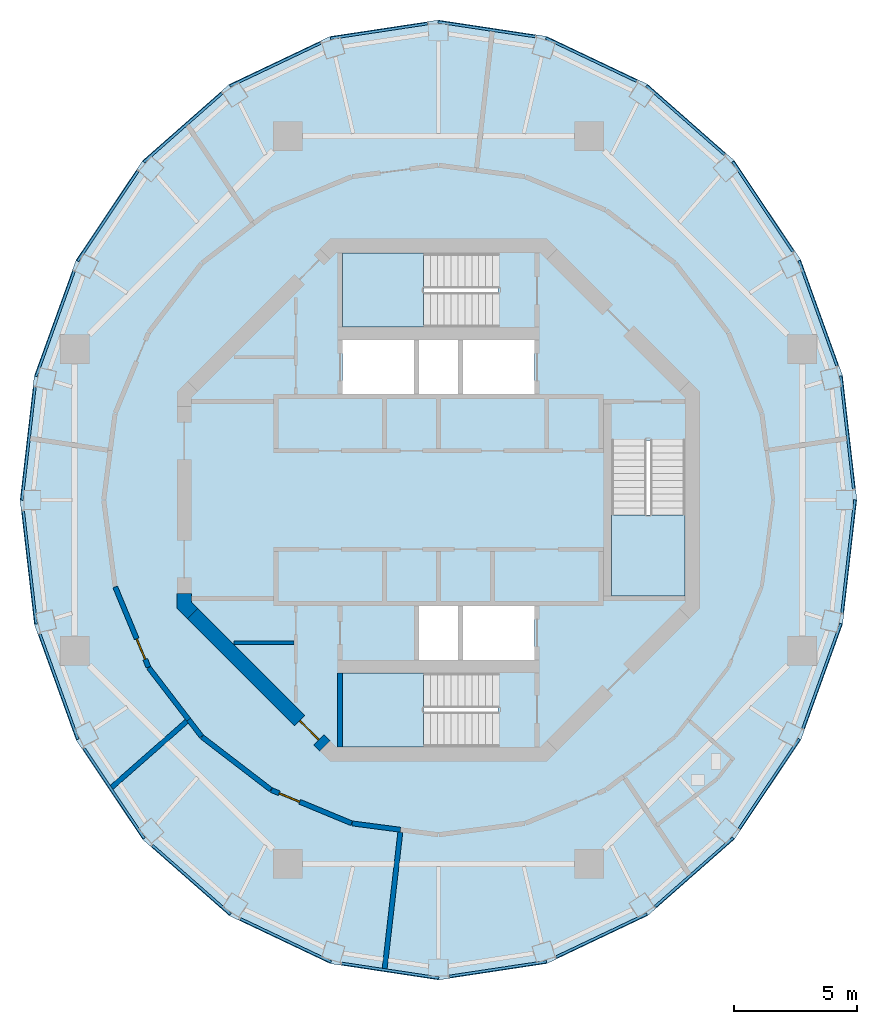
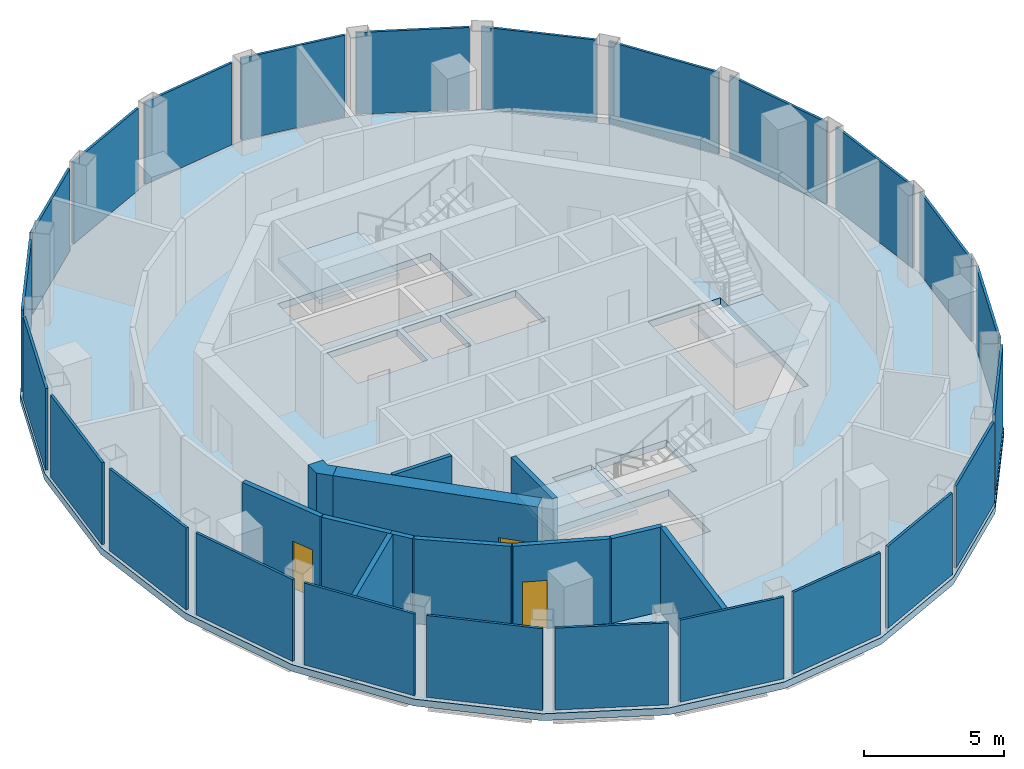
# One storey, part 7 of 12: 24 plates, 12 walls, 4 slabs, 3 doors, 3 openings, 27 elements without a shape of their own.
"""IFC4 building model written with IfcOpenShell, lengths in metres."""

from ifc_helpers import new_model, si_unit, direction, frame, frame_2d, origin, origin_2d, place, context, subcontext, project, spatial, polyline, rectangle, outline, extrude, material, layer, layer_set, type_object, element, fill, aggregate, save


model = new_model("IFC4")

# Units and contexts
model_context = context("Model", 3, precision=1e-05, world=origin(), true_north=direction((0.0, 1.0)))
body_context = subcontext(model_context, "Body", "Model", "MODEL_VIEW")
ifc_project = project(units=[si_unit("LENGTHUNIT", "METRE"), si_unit("AREAUNIT", "SQUARE_METRE"), si_unit("VOLUMEUNIT", "CUBIC_METRE"), si_unit("PLANEANGLEUNIT", "RADIAN"), si_unit("MASSUNIT", "GRAM", prefix="KILO")], contexts=[model_context])

# Site, building, storey
site_placement = place(None, origin())
site = spatial("IfcSite", under=ifc_project, at=site_placement, CompositionType="ELEMENT")
building_placement = place(site_placement, origin())
building = spatial("IfcBuilding", under=site, at=building_placement, Name="Nagisa Residences", CompositionType="ELEMENT")
storey_placement = place(building_placement, frame((0.0, 0.0, 328.89990234375)))
storey = spatial("IfcBuildingStorey", under=building, at=storey_placement, Name="L81", CompositionType="ELEMENT", Elevation=328.89990234375)

# Curtain wall, plate
ifc_material_1 = material(Name="Aluminium curtain wall system", Category="aluminium")
ifc_layer_1 = layer(ifc_material_1, 0.159912109375)
ifc_layer_set_1 = layer_set([ifc_layer_1], Name="CW5 CURTAIN WALL")
curtain_wall_type = type_object("IfcCurtainWallType", Name="CW5 CURTAIN WALL", PredefinedType="NOTDEFINED", material=ifc_layer_set_1)
curtain_wall_1_placement = place(storey_placement, origin())
curtain_wall_1 = element("IfcCurtainWall", 1, at=curtain_wall_1_placement, inside=storey, type_object=curtain_wall_type, Name="cw:CW5:L81:00", PredefinedType="NOTDEFINED")
ifc_material_2 = material(Name="Aluminium louvre", Category="aluminium")
ifc_layer_2 = layer(ifc_material_2, 0.10009765625)
ifc_layer_set_2 = layer_set([ifc_layer_2], Name="CW5 LOUVRE PANEL")
plate_type = type_object("IfcPlateType", Name="CW5 LOUVRE PANEL", PredefinedType="CURTAIN_PANEL", material=ifc_layer_set_2)
plate_1_placement = place(storey_placement, frame((16.604736328125, 2.742919921875, 0.1201171875), z_axis=(0.0, 0.0, 1.0), x_axis=(-0.114025397474, 0.993477835048, 0.0)))
plate_1 = element("IfcPlate", 2, at=plate_1_placement, type_object=plate_type, Name="CW5 panel", PredefinedType="CURTAIN_PANEL", context=body_context, shape_type="SweptSolid", body=[
    extrude(rectangle(XDim=4.6201171875, YDim=0.10009765625, at=origin_2d()), origin(), (0.0, 0.0, 1.0), 3.580078125),
])
aggregate(curtain_wall_1, [plate_1])

curtain_wall_2_placement = place(storey_placement, origin())
curtain_wall_2 = element("IfcCurtainWall", 3, at=curtain_wall_2_placement, inside=storey, type_object=curtain_wall_type, Name="cw:CW5:L81:01", PredefinedType="NOTDEFINED")
plate_2_placement = place(storey_placement, frame((15.418212890625, 7.587646484375, 0.1201171875), z_axis=(0.0, 0.0, 1.0), x_axis=(-0.339642923136, 0.940554456033, 0.0)))
plate_2 = element("IfcPlate", 4, at=plate_2_placement, type_object=plate_type, Name="CW5 panel", PredefinedType="CURTAIN_PANEL", context=body_context, shape_type="SweptSolid", body=[
    extrude(rectangle(XDim=4.540283203125, YDim=0.10009765625, at=origin_2d()), origin(), (0.0, 0.0, 1.0), 3.580078125),
])
aggregate(curtain_wall_2, [plate_2])

curtain_wall_3_placement = place(storey_placement, origin())
curtain_wall_3 = element("IfcCurtainWall", 5, at=curtain_wall_3_placement, inside=storey, type_object=curtain_wall_type, Name="cw:CW5:L81:02", PredefinedType="NOTDEFINED")
plate_3_placement = place(storey_placement, frame((13.17724609375, 11.916015625, 0.1201171875), z_axis=(0.0, 0.0, 1.0), x_axis=(-0.556014393027, 0.831172662415, 0.0)))
plate_3 = element("IfcPlate", 6, at=plate_3_placement, type_object=plate_type, Name="CW5 panel", PredefinedType="CURTAIN_PANEL", context=body_context, shape_type="SweptSolid", body=[
    extrude(rectangle(XDim=4.39892578125, YDim=0.10009765625, at=origin_2d()), origin(), (0.0, 0.0, 1.0), 3.580078125),
])
aggregate(curtain_wall_3, [plate_3])

curtain_wall_4_placement = place(storey_placement, origin())
curtain_wall_4 = element("IfcCurtainWall", 7, at=curtain_wall_4_placement, inside=storey, type_object=curtain_wall_type, Name="cw:CW5:L81:03", PredefinedType="NOTDEFINED")
plate_4_placement = place(storey_placement, frame((10.034912109375, 15.429931640625, 0.1201171875), z_axis=(0.0, 0.0, 1.0), x_axis=(-0.750650526795, 0.660699467703, 0.0)))
plate_4 = element("IfcPlate", 8, at=plate_4_placement, type_object=plate_type, Name="CW5 panel", PredefinedType="CURTAIN_PANEL", context=body_context, shape_type="SweptSolid", body=[
    extrude(rectangle(XDim=4.23046875, YDim=0.10009765625, at=origin_2d()), origin(), (0.0, 0.0, 1.0), 3.580078125),
])
aggregate(curtain_wall_4, [plate_4])

curtain_wall_5_placement = place(storey_placement, origin())
curtain_wall_5 = element("IfcCurtainWall", 9, at=curtain_wall_5_placement, inside=storey, type_object=curtain_wall_type, Name="cw:CW5:L81:04", PredefinedType="NOTDEFINED")
plate_5_placement = place(storey_placement, frame((6.2080078125, 17.887939453125, 0.1201171875), z_axis=(0.0, 0.0, 1.0), x_axis=(-0.903232929992, 0.429150642757, 0.0)))
plate_5 = element("IfcPlate", 10, at=plate_5_placement, type_object=plate_type, Name="CW5 panel", PredefinedType="CURTAIN_PANEL", context=body_context, shape_type="SweptSolid", body=[
    extrude(rectangle(XDim=4.079345703125, YDim=0.10009765625, at=origin_2d()), origin(), (0.0, 0.0, 1.0), 3.580078125),
])
aggregate(curtain_wall_5, [plate_5])

curtain_wall_6_placement = place(storey_placement, origin())
curtain_wall_6 = element("IfcCurtainWall", 11, at=curtain_wall_6_placement, inside=storey, type_object=curtain_wall_type, Name="cw:CW5:L81:05", PredefinedType="NOTDEFINED")
plate_6_placement = place(storey_placement, frame((1.960693359375, 19.123046875, 0.1201171875), z_axis=(0.0, 0.0, 1.0), x_axis=(-0.988788904158, 0.149320135997, 0.0)))
plate_6 = element("IfcPlate", 12, at=plate_6_placement, type_object=plate_type, Name="CW5 panel", PredefinedType="CURTAIN_PANEL", context=body_context, shape_type="SweptSolid", body=[
    extrude(rectangle(XDim=3.98974609375, YDim=0.10009765625, at=origin_2d()), origin(), (0.0, 0.0, 1.0), 3.580078125),
])
aggregate(curtain_wall_6, [plate_6])

curtain_wall_7_placement = place(storey_placement, origin())
curtain_wall_7 = element("IfcCurtainWall", 13, at=curtain_wall_7_placement, inside=storey, type_object=curtain_wall_type, Name="cw:CW5:L81:06", PredefinedType="NOTDEFINED")
plate_7_placement = place(storey_placement, frame((-2.41552734375, 19.054443359375, 0.1201171875), z_axis=(0.0, 0.0, 1.0), x_axis=(-0.988788904158, -0.149320135997, 0.0)))
plate_7 = element("IfcPlate", 14, at=plate_7_placement, type_object=plate_type, Name="CW5 panel", PredefinedType="CURTAIN_PANEL", context=body_context, shape_type="SweptSolid", body=[
    extrude(rectangle(XDim=3.98974609375, YDim=0.10009765625, at=origin_2d()), origin(), (0.0, 0.0, 1.0), 3.580078125),
])
aggregate(curtain_wall_7, [plate_7])

curtain_wall_8_placement = place(storey_placement, origin())
curtain_wall_8 = element("IfcCurtainWall", 15, at=curtain_wall_8_placement, inside=storey, type_object=curtain_wall_type, Name="cw:CW5:L81:07", PredefinedType="NOTDEFINED")
plate_8_placement = place(storey_placement, frame((-6.623291015625, 17.690673828125, 0.1201171875), z_axis=(0.0, 0.0, 1.0), x_axis=(-0.903232929992, -0.429150642757, 0.0)))
plate_8 = element("IfcPlate", 16, at=plate_8_placement, type_object=plate_type, Name="CW5 panel", PredefinedType="CURTAIN_PANEL", context=body_context, shape_type="SweptSolid", body=[
    extrude(rectangle(XDim=4.079345703125, YDim=0.10009765625, at=origin_2d()), origin(), (0.0, 0.0, 1.0), 3.580078125),
])
aggregate(curtain_wall_8, [plate_8])

curtain_wall_9_placement = place(storey_placement, origin())
curtain_wall_9 = element("IfcCurtainWall", 17, at=curtain_wall_9_placement, inside=storey, type_object=curtain_wall_type, Name="cw:CW5:L81:08", PredefinedType="NOTDEFINED")
plate_9_placement = place(storey_placement, frame((-10.380126953125, 15.1259765625, 0.1201171875), z_axis=(0.0, 0.0, 1.0), x_axis=(-0.750650526795, -0.660699467703, 0.0)))
plate_9 = element("IfcPlate", 18, at=plate_9_placement, type_object=plate_type, Name="CW5 panel", PredefinedType="CURTAIN_PANEL", context=body_context, shape_type="SweptSolid", body=[
    extrude(rectangle(XDim=4.23046875, YDim=0.10009765625, at=origin_2d()), origin(), (0.0, 0.0, 1.0), 3.580078125),
])
aggregate(curtain_wall_9, [plate_9])

curtain_wall_10_placement = place(storey_placement, origin())
curtain_wall_10 = element("IfcCurtainWall", 19, at=curtain_wall_10_placement, inside=storey, type_object=curtain_wall_type, Name="cw:CW5:L81:09", PredefinedType="NOTDEFINED")
plate_10_placement = place(storey_placement, frame((-13.43310546875, 11.53369140625, 0.1201171875), z_axis=(0.0, 0.0, 1.0), x_axis=(-0.556014393027, -0.831172662415, 0.0)))
plate_10 = element("IfcPlate", 20, at=plate_10_placement, type_object=plate_type, Name="CW5 panel", PredefinedType="CURTAIN_PANEL", context=body_context, shape_type="SweptSolid", body=[
    extrude(rectangle(XDim=4.39892578125, YDim=0.10009765625, at=origin_2d()), origin(), (0.0, 0.0, 1.0), 3.580078125),
])
aggregate(curtain_wall_10, [plate_10])

curtain_wall_11_placement = place(storey_placement, origin())
curtain_wall_11 = element("IfcCurtainWall", 21, at=curtain_wall_11_placement, inside=storey, type_object=curtain_wall_type, Name="cw:CW5:L81:10", PredefinedType="NOTDEFINED")
plate_11_placement = place(storey_placement, frame((-15.574462890625, 7.155029296875, 0.1201171875), z_axis=(0.0, 0.0, 1.0), x_axis=(-0.339642923136, -0.940554456033, 0.0)))
plate_11 = element("IfcPlate", 22, at=plate_11_placement, type_object=plate_type, Name="CW5 panel", PredefinedType="CURTAIN_PANEL", context=body_context, shape_type="SweptSolid", body=[
    extrude(rectangle(XDim=4.540283203125, YDim=0.10009765625, at=origin_2d()), origin(), (0.0, 0.0, 1.0), 3.580078125),
])
aggregate(curtain_wall_11, [plate_11])

curtain_wall_12_placement = place(storey_placement, origin())
curtain_wall_12 = element("IfcCurtainWall", 23, at=curtain_wall_12_placement, inside=storey, type_object=curtain_wall_type, Name="cw:CW5:L81:11", PredefinedType="NOTDEFINED")
plate_12_placement = place(storey_placement, frame((-16.6572265625, 2.285888671875, 0.1201171875), z_axis=(0.0, 0.0, 1.0), x_axis=(-0.114025397474, -0.993477835048, 0.0)))
plate_12 = element("IfcPlate", 24, at=plate_12_placement, type_object=plate_type, Name="CW5 panel", PredefinedType="CURTAIN_PANEL", context=body_context, shape_type="SweptSolid", body=[
    extrude(rectangle(XDim=4.6201171875, YDim=0.10009765625, at=origin_2d()), origin(), (0.0, 0.0, 1.0), 3.580078125),
])
aggregate(curtain_wall_12, [plate_12])

curtain_wall_13_placement = place(storey_placement, origin())
curtain_wall_13 = element("IfcCurtainWall", 25, at=curtain_wall_13_placement, inside=storey, type_object=curtain_wall_type, Name="cw:CW5:L81:12", PredefinedType="NOTDEFINED")
plate_13_placement = place(storey_placement, frame((-16.604736328125, -2.742919921875, 0.1201171875), z_axis=(0.0, 0.0, 1.0), x_axis=(0.114025397474, -0.993477835048, 0.0)))
plate_13 = element("IfcPlate", 26, at=plate_13_placement, type_object=plate_type, Name="CW5 panel", PredefinedType="CURTAIN_PANEL", context=body_context, shape_type="SweptSolid", body=[
    extrude(rectangle(XDim=4.6201171875, YDim=0.10009765625, at=origin_2d()), origin(), (0.0, 0.0, 1.0), 3.580078125),
])
aggregate(curtain_wall_13, [plate_13])

curtain_wall_14_placement = place(storey_placement, origin())
curtain_wall_14 = element("IfcCurtainWall", 27, at=curtain_wall_14_placement, inside=storey, type_object=curtain_wall_type, Name="cw:CW5:L81:13", PredefinedType="NOTDEFINED")
plate_14_placement = place(storey_placement, frame((-15.418212890625, -7.587646484375, 0.1201171875), z_axis=(0.0, 0.0, 1.0), x_axis=(0.339642923136, -0.940554456033, 0.0)))
plate_14 = element("IfcPlate", 28, at=plate_14_placement, type_object=plate_type, Name="CW5 panel", PredefinedType="CURTAIN_PANEL", context=body_context, shape_type="SweptSolid", body=[
    extrude(rectangle(XDim=4.540283203125, YDim=0.10009765625, at=origin_2d()), origin(), (0.0, 0.0, 1.0), 3.580078125),
])
aggregate(curtain_wall_14, [plate_14])

curtain_wall_15_placement = place(storey_placement, origin())
curtain_wall_15 = element("IfcCurtainWall", 29, at=curtain_wall_15_placement, inside=storey, type_object=curtain_wall_type, Name="cw:CW5:L81:14", PredefinedType="NOTDEFINED")
plate_15_placement = place(storey_placement, frame((-13.17724609375, -11.916015625, 0.1201171875), z_axis=(0.0, 0.0, 1.0), x_axis=(0.556014393027, -0.831172662415, 0.0)))
plate_15 = element("IfcPlate", 30, at=plate_15_placement, type_object=plate_type, Name="CW5 panel", PredefinedType="CURTAIN_PANEL", context=body_context, shape_type="SweptSolid", body=[
    extrude(rectangle(XDim=4.39892578125, YDim=0.10009765625, at=origin_2d()), origin(), (0.0, 0.0, 1.0), 3.580078125),
])
aggregate(curtain_wall_15, [plate_15])

curtain_wall_16_placement = place(storey_placement, origin())
curtain_wall_16 = element("IfcCurtainWall", 31, at=curtain_wall_16_placement, inside=storey, type_object=curtain_wall_type, Name="cw:CW5:L81:15", PredefinedType="NOTDEFINED")
plate_16_placement = place(storey_placement, frame((-10.034912109375, -15.429931640625, 0.1201171875), z_axis=(0.0, 0.0, 1.0), x_axis=(0.750650526795, -0.660699467703, 0.0)))
plate_16 = element("IfcPlate", 32, at=plate_16_placement, type_object=plate_type, Name="CW5 panel", PredefinedType="CURTAIN_PANEL", context=body_context, shape_type="SweptSolid", body=[
    extrude(rectangle(XDim=4.23046875, YDim=0.10009765625, at=origin_2d()), origin(), (0.0, 0.0, 1.0), 3.580078125),
])
aggregate(curtain_wall_16, [plate_16])

curtain_wall_17_placement = place(storey_placement, origin())
curtain_wall_17 = element("IfcCurtainWall", 33, at=curtain_wall_17_placement, inside=storey, type_object=curtain_wall_type, Name="cw:CW5:L81:16", PredefinedType="NOTDEFINED")
plate_17_placement = place(storey_placement, frame((-6.2080078125, -17.887939453125, 0.1201171875), z_axis=(0.0, 0.0, 1.0), x_axis=(0.903232929992, -0.429150642757, 0.0)))
plate_17 = element("IfcPlate", 34, at=plate_17_placement, type_object=plate_type, Name="CW5 panel", PredefinedType="CURTAIN_PANEL", context=body_context, shape_type="SweptSolid", body=[
    extrude(rectangle(XDim=4.079345703125, YDim=0.10009765625, at=origin_2d()), origin(), (0.0, 0.0, 1.0), 3.580078125),
])
aggregate(curtain_wall_17, [plate_17])

curtain_wall_18_placement = place(storey_placement, origin())
curtain_wall_18 = element("IfcCurtainWall", 35, at=curtain_wall_18_placement, inside=storey, type_object=curtain_wall_type, Name="cw:CW5:L81:17", PredefinedType="NOTDEFINED")
plate_18_placement = place(storey_placement, frame((-1.960693359375, -19.123046875, 0.1201171875), z_axis=(0.0, 0.0, 1.0), x_axis=(0.988788904158, -0.149320135997, 0.0)))
plate_18 = element("IfcPlate", 36, at=plate_18_placement, type_object=plate_type, Name="CW5 panel", PredefinedType="CURTAIN_PANEL", context=body_context, shape_type="SweptSolid", body=[
    extrude(rectangle(XDim=3.98974609375, YDim=0.10009765625, at=origin_2d()), origin(), (0.0, 0.0, 1.0), 3.580078125),
])
aggregate(curtain_wall_18, [plate_18])

curtain_wall_19_placement = place(storey_placement, origin())
curtain_wall_19 = element("IfcCurtainWall", 37, at=curtain_wall_19_placement, inside=storey, type_object=curtain_wall_type, Name="cw:CW5:L81:18", PredefinedType="NOTDEFINED")
plate_19_placement = place(storey_placement, frame((2.41552734375, -19.054443359375, 0.1201171875), z_axis=(0.0, 0.0, 1.0), x_axis=(0.988788904158, 0.149320135997, 0.0)))
plate_19 = element("IfcPlate", 38, at=plate_19_placement, type_object=plate_type, Name="CW5 panel", PredefinedType="CURTAIN_PANEL", context=body_context, shape_type="SweptSolid", body=[
    extrude(rectangle(XDim=3.98974609375, YDim=0.10009765625, at=origin_2d()), origin(), (0.0, 0.0, 1.0), 3.580078125),
])
aggregate(curtain_wall_19, [plate_19])

curtain_wall_20_placement = place(storey_placement, origin())
curtain_wall_20 = element("IfcCurtainWall", 39, at=curtain_wall_20_placement, inside=storey, type_object=curtain_wall_type, Name="cw:CW5:L81:19", PredefinedType="NOTDEFINED")
plate_20_placement = place(storey_placement, frame((6.623291015625, -17.690673828125, 0.1201171875), z_axis=(0.0, 0.0, 1.0), x_axis=(0.903232929992, 0.429150642757, 0.0)))
plate_20 = element("IfcPlate", 40, at=plate_20_placement, type_object=plate_type, Name="CW5 panel", PredefinedType="CURTAIN_PANEL", context=body_context, shape_type="SweptSolid", body=[
    extrude(rectangle(XDim=4.079345703125, YDim=0.10009765625, at=origin_2d()), origin(), (0.0, 0.0, 1.0), 3.580078125),
])
aggregate(curtain_wall_20, [plate_20])

curtain_wall_21_placement = place(storey_placement, origin())
curtain_wall_21 = element("IfcCurtainWall", 41, at=curtain_wall_21_placement, inside=storey, type_object=curtain_wall_type, Name="cw:CW5:L81:20", PredefinedType="NOTDEFINED")
plate_21_placement = place(storey_placement, frame((10.380126953125, -15.1259765625, 0.1201171875), z_axis=(0.0, 0.0, 1.0), x_axis=(0.750650526795, 0.660699467703, 0.0)))
plate_21 = element("IfcPlate", 42, at=plate_21_placement, type_object=plate_type, Name="CW5 panel", PredefinedType="CURTAIN_PANEL", context=body_context, shape_type="SweptSolid", body=[
    extrude(rectangle(XDim=4.23046875, YDim=0.10009765625, at=origin_2d()), origin(), (0.0, 0.0, 1.0), 3.580078125),
])
aggregate(curtain_wall_21, [plate_21])

curtain_wall_22_placement = place(storey_placement, origin())
curtain_wall_22 = element("IfcCurtainWall", 43, at=curtain_wall_22_placement, inside=storey, type_object=curtain_wall_type, Name="cw:CW5:L81:21", PredefinedType="NOTDEFINED")
plate_22_placement = place(storey_placement, frame((13.43310546875, -11.53369140625, 0.1201171875), z_axis=(0.0, 0.0, 1.0), x_axis=(0.556014393027, 0.831172662415, 0.0)))
plate_22 = element("IfcPlate", 44, at=plate_22_placement, type_object=plate_type, Name="CW5 panel", PredefinedType="CURTAIN_PANEL", context=body_context, shape_type="SweptSolid", body=[
    extrude(rectangle(XDim=4.39892578125, YDim=0.10009765625, at=origin_2d()), origin(), (0.0, 0.0, 1.0), 3.580078125),
])
aggregate(curtain_wall_22, [plate_22])

curtain_wall_23_placement = place(storey_placement, origin())
curtain_wall_23 = element("IfcCurtainWall", 45, at=curtain_wall_23_placement, inside=storey, type_object=curtain_wall_type, Name="cw:CW5:L81:22", PredefinedType="NOTDEFINED")
plate_23_placement = place(storey_placement, frame((15.574462890625, -7.155029296875, 0.1201171875), z_axis=(0.0, 0.0, 1.0), x_axis=(0.339642923136, 0.940554456033, 0.0)))
plate_23 = element("IfcPlate", 46, at=plate_23_placement, type_object=plate_type, Name="CW5 panel", PredefinedType="CURTAIN_PANEL", context=body_context, shape_type="SweptSolid", body=[
    extrude(rectangle(XDim=4.540283203125, YDim=0.10009765625, at=origin_2d()), origin(), (0.0, 0.0, 1.0), 3.580078125),
])
aggregate(curtain_wall_23, [plate_23])

curtain_wall_24_placement = place(storey_placement, origin())
curtain_wall_24 = element("IfcCurtainWall", 47, at=curtain_wall_24_placement, inside=storey, type_object=curtain_wall_type, Name="cw:CW5:L81:23", PredefinedType="NOTDEFINED")
plate_24_placement = place(storey_placement, frame((16.6572265625, -2.285888671875, 0.1201171875), z_axis=(0.0, 0.0, 1.0), x_axis=(0.114025397474, 0.993477835048, 0.0)))
plate_24 = element("IfcPlate", 48, at=plate_24_placement, type_object=plate_type, Name="CW5 panel", PredefinedType="CURTAIN_PANEL", context=body_context, shape_type="SweptSolid", body=[
    extrude(rectangle(XDim=4.6201171875, YDim=0.10009765625, at=origin_2d()), origin(), (0.0, 0.0, 1.0), 3.580078125),
])
aggregate(curtain_wall_24, [plate_24])

# Slab
ifc_material_3 = material(Name="Concrete C40", Category="concrete")
ifc_layer_3 = layer(ifc_material_3, 0.300048828125)
ifc_layer_set_3 = layer_set([ifc_layer_3], Name="Floor slab 300")
slab_type_1 = type_object("IfcSlabType", Name="Floor slab 300", PredefinedType="FLOOR", material=ifc_layer_set_3)
slab_1_placement = place(storey_placement, frame((0.0, 0.0, -0.2998046875)))
element("IfcSlab", 49, at=slab_1_placement, inside=storey, type_object=slab_type_1, Name="slab:L81:floor", PredefinedType="FLOOR", context=body_context, shape_type="SweptSolid", body=[
    extrude(outline(polyline([(17.0, 0.0), (16.420654296875, 5.046875), (14.722412109375, 9.75), (12.020751953125, 13.78857421875), (8.5, 16.887451171875), (4.39990234375, 18.83544921875), (0.0, 19.5), (-4.39990234375, 18.83544921875), (-8.5, 16.887451171875), (-12.020751953125, 13.78857421875), (-14.722412109375, 9.75), (-16.420654296875, 5.046875), (-17.0, 0.0), (-16.420654296875, -5.046875), (-14.722412109375, -9.75), (-12.020751953125, -13.78857421875), (-8.5, -16.887451171875), (-4.39990234375, -18.83544921875), (0.0, -19.5), (4.39990234375, -18.83544921875), (8.5, -16.887451171875), (12.020751953125, -13.78857421875), (14.722412109375, -9.75), (16.420654296875, -5.046875), (17.0, 0.0)]), holes=[polyline([(3.89990234375, 4.300048828125), (3.89990234375, 6.5), (1.0, 6.5), (1.0, 4.300048828125), (3.89990234375, 4.300048828125)]), polyline([(3.89990234375, -6.5), (3.89990234375, -4.300048828125), (1.0, -4.300048828125), (1.0, -6.5), (3.89990234375, -6.5)]), polyline([(-1.0, 4.300048828125), (-1.0, 6.5), (-3.89990234375, 6.5), (-3.89990234375, 4.300048828125), (-1.0, 4.300048828125)]), polyline([(0.800048828125, 4.300048828125), (0.800048828125, 6.5), (-0.800048828125, 6.5), (-0.800048828125, 4.300048828125), (0.800048828125, 4.300048828125)]), polyline([(0.800048828125, -6.5), (0.800048828125, -4.300048828125), (-0.800048828125, -4.300048828125), (-0.800048828125, -6.5), (0.800048828125, -6.5)]), polyline([(10.024658203125, -3.89990234375), (7.024658203125, -3.89990234375), (7.024658203125, 2.425048828125), (10.024658203125, 2.425048828125), (10.024658203125, -3.89990234375)]), polyline([(-3.89990234375, 7.024658203125), (-3.89990234375, 10.024658203125), (2.425048828125, 10.024658203125), (2.425048828125, 7.024658203125), (-3.89990234375, 7.024658203125)]), polyline([(-3.89990234375, -10.024658203125), (-3.89990234375, -7.024658203125), (2.425048828125, -7.024658203125), (2.425048828125, -10.024658203125), (-3.89990234375, -10.024658203125)])]), origin(), (0.0, 0.0, 1.0), 0.2998046875),
])

# Stair, slab
ifc_material_4 = material(Name="Concrete C60", Category="concrete")
stair_type = type_object("IfcStairType", Name="Exit stair", PredefinedType="HALF_TURN_STAIR", material=ifc_material_4)
stair_1_placement = place(storey_placement, origin())
stair_1 = element("IfcStair", 50, at=stair_1_placement, inside=storey, type_object=stair_type, Name="L81 Exit stair E", PredefinedType="HALF_TURN_STAIR")
ifc_material_5 = material(Name="Concrete C60", Category="concrete")
ifc_layer_4 = layer(ifc_material_5, 0.199951171875)
ifc_layer_set_4 = layer_set([ifc_layer_4], Name="Stair landing")
slab_type_2 = type_object("IfcSlabType", Name="Stair landing", PredefinedType="LANDING", material=ifc_layer_set_4)
slab_2_placement = place(storey_placement, frame((0.0, 0.0, 1.800048828125)))
slab_2 = element("IfcSlab", 51, at=slab_2_placement, type_object=slab_type_2, Name="ST-E landing 1", PredefinedType="LANDING", context=body_context, shape_type="SweptSolid", body=[
    extrude(outline(polyline([(7.024658203125, -0.60498046875), (7.024658203125, -3.89990234375), (10.024658203125, -3.89990234375), (10.024658203125, -0.60498046875), (7.024658203125, -0.60498046875)])), origin(), (0.0, 0.0, 1.0), 0.199951171875),
])
aggregate(stair_1, [slab_2])

stair_2_placement = place(storey_placement, origin())
stair_2 = element("IfcStair", 52, at=stair_2_placement, inside=storey, type_object=stair_type, Name="L81 Exit stair N", PredefinedType="HALF_TURN_STAIR")
slab_3_placement = place(storey_placement, frame((0.0, 0.0, 1.800048828125)))
slab_3 = element("IfcSlab", 53, at=slab_3_placement, type_object=slab_type_2, Name="ST-N landing 1", PredefinedType="LANDING", context=body_context, shape_type="SweptSolid", body=[
    extrude(outline(polyline([(-0.60498046875, 10.024658203125), (-3.89990234375, 10.024658203125), (-3.89990234375, 7.024658203125), (-0.60498046875, 7.024658203125), (-0.60498046875, 10.024658203125)])), origin(), (0.0, 0.0, 1.0), 0.199951171875),
])
aggregate(stair_2, [slab_3])

stair_3_placement = place(storey_placement, origin())
stair_3 = element("IfcStair", 54, at=stair_3_placement, inside=storey, type_object=stair_type, Name="L81 Exit stair S", PredefinedType="HALF_TURN_STAIR")
slab_4_placement = place(storey_placement, frame((0.0, 0.0, 1.800048828125)))
slab_4 = element("IfcSlab", 55, at=slab_4_placement, type_object=slab_type_2, Name="ST-S landing 1", PredefinedType="LANDING", context=body_context, shape_type="SweptSolid", body=[
    extrude(outline(polyline([(-0.60498046875, -7.024658203125), (-3.89990234375, -7.024658203125), (-3.89990234375, -10.024658203125), (-0.60498046875, -10.024658203125), (-0.60498046875, -7.024658203125)])), origin(), (0.0, 0.0, 1.0), 0.199951171875),
])
aggregate(stair_3, [slab_4])

# Wall
ifc_material_6 = material(Name="Gypsum board on steel studs", Category="steel")
ifc_layer_5 = layer(ifc_material_6, 0.14990234375)
ifc_layer_set_5 = layer_set([ifc_layer_5], Name="Core partition 150")
wall_type_1 = type_object("IfcWallType", Name="Core partition 150", PredefinedType="PARTITIONING", material=ifc_layer_set_5)
wall_1_placement = place(storey_placement, frame((-8.301025390625, -5.800048828125, 0.0), z_axis=(0.0, 0.0, 1.0), x_axis=(1.0, 0.0, 0.0)))
element("IfcWall", 56, at=wall_1_placement, inside=storey, type_object=wall_type_1, Name="wall:L81:SWq", PredefinedType="PARTITIONING", context=body_context, shape_type="SweptSolid", body=[
    extrude(rectangle(XDim=2.426025390625, YDim=0.14990234375, at=frame_2d((1.212890625, 0.0))), origin(), (0.0, 0.0, 1.0), 3.7001953125),
])

# Wall, opening, door
ifc_material_7 = material(Name="Concrete C60", Category="concrete")
ifc_layer_6 = layer(ifc_material_7, 0.60009765625)
ifc_layer_set_6 = layer_set([ifc_layer_6], Name="Core shear wall 600")
wall_type_2 = type_object("IfcWallType", Name="Core shear wall 600", PredefinedType="SHEAR", material=ifc_layer_set_6)
wall_2_placement = place(storey_placement, frame((-9.98828125, -4.613037109375, 0.0), z_axis=(0.0, 0.0, 1.0), x_axis=(0.707106781187, -0.707106781187, 0.0)))
wall_2 = element("IfcWall", 57, at=wall_2_placement, inside=storey, type_object=wall_type_2, Name="wall:L81:core:flat5", PredefinedType="SHEAR", context=body_context, shape_type="SweptSolid", body=[
    extrude(rectangle(XDim=7.601806640625, YDim=0.60009765625, at=frame_2d((3.80078125, 0.0))), origin(), (0.0, 0.0, 1.0), 3.7001953125),
])
opening_1_placement = place(wall_2_placement, frame((6.15087890625, 0.0, 0.0)))
opening_1 = element("IfcOpeningElement", 58, at=opening_1_placement, cuts=wall_2, Name="Opening L81-C25", PredefinedType="OPENING", context=body_context, shape_type="SweptSolid", body=[
    extrude(rectangle(XDim=1.10009765625, YDim=2.10009765625, at=frame_2d((0.550048828125, 1.050048828125))), frame((0.0, 0.31005859375, 0.0), z_axis=(0.0, -1.0, 0.0), x_axis=(1.0, 0.0, 0.0)), (0.0, 0.0, 1.0), 0.6201171875),
])
ifc_material_8 = material(Name="Steel fire door", Category="steel")
door_type_1 = type_object("IfcDoorType", Name="Fire door EI60 1100x2100 single swing", OperationType="NOTDEFINED", PredefinedType="DOOR", material=ifc_material_8)
door_1_placement = place(opening_1_placement, origin())
door_1 = element("IfcDoor", 59, at=door_1_placement, inside=storey, type_object=door_type_1, Name="Housekeeping lobby door L81", OperationType="SINGLE_SWING_LEFT", OverallHeight=2.10009765625, OverallWidth=1.10009765625, PredefinedType="DOOR", context=body_context, shape_type="SweptSolid", body=[
    extrude(rectangle(XDim=1.10009765625, YDim=2.10009765625, at=frame_2d((0.550048828125, 1.050048828125))), frame((0.0, 0.02490234375, 0.0), z_axis=(0.0, -1.0, 0.0), x_axis=(1.0, 0.0, 0.0)), (0.0, 0.0, 1.0), 0.050048828125),
])
fill(opening_1, door_1)

# Wall
wall_3_placement = place(storey_placement, origin())
element("IfcWall", 60, at=wall_3_placement, inside=storey, type_object=wall_type_2, Name="wall:L81:core:pier4", PredefinedType="SHEAR", context=body_context, shape_type="SweptSolid", body=[
    extrude(outline(polyline([(-10.62451171875, -3.80078125), (-10.024658203125, -3.80078125), (-10.024658203125, -4.15234375), (-9.776123046875, -4.40087890625), (-10.200439453125, -4.8251953125), (-10.62451171875, -4.40087890625), (-10.62451171875, -3.80078125)])), origin(), (0.0, 0.0, 1.0), 3.7001953125),
])

# Wall, opening, door
ifc_material_9 = material(Name="Gypsum board on steel studs", Category="steel")
ifc_layer_7 = layer(ifc_material_9, 0.199951171875)
ifc_layer_set_7 = layer_set([ifc_layer_7], Name="Plant room wall EI120 200")
wall_type_3 = type_object("IfcWallType", Name="Plant room wall EI120 200", PredefinedType="PARTITIONING", material=ifc_layer_set_7)
wall_4_placement = place(storey_placement, frame((-11.78369140625, -6.785888671875, 0.0), z_axis=(0.0, 0.0, 1.0), x_axis=(-0.382723413813, 0.92386297064, 0.0)))
wall_4 = element("IfcWall", 61, at=wall_4_placement, inside=storey, type_object=wall_type_3, Name="wall:L81:am014", PredefinedType="PARTITIONING", context=body_context, shape_type="SweptSolid", body=[
    extrude(rectangle(XDim=3.52001953125, YDim=0.199951171875, at=frame_2d((1.760009765625, 0.0))), origin(), (0.0, 0.0, 1.0), 3.7001953125),
])
opening_2_placement = place(wall_4_placement, frame((0.34228515625, 0.0, 0.0)))
opening_2 = element("IfcOpeningElement", 62, at=opening_2_placement, cuts=wall_4, Name="Opening L81-A04", PredefinedType="OPENING", context=body_context, shape_type="SweptSolid", body=[
    extrude(rectangle(XDim=0.89990234375, YDim=2.10009765625, at=frame_2d((0.449951171875, 1.050048828125))), frame((0.0, 0.10986328125, 0.0), z_axis=(0.0, -1.0, 0.0), x_axis=(1.0, 0.0, 0.0)), (0.0, 0.0, 1.0), 0.219970703125),
])
ifc_material_10 = material(Name="Steel fire door", Category="steel")
door_type_2 = type_object("IfcDoorType", Name="Fire door EI120 900x2100 single swing", OperationType="NOTDEFINED", PredefinedType="DOOR", material=ifc_material_10)
door_2_placement = place(opening_2_placement, origin())
door_2 = element("IfcDoor", 63, at=door_2_placement, inside=storey, type_object=door_type_2, Name="Tank room door", OperationType="SINGLE_SWING_RIGHT", OverallHeight=2.10009765625, OverallWidth=0.89990234375, PredefinedType="DOOR", context=body_context, shape_type="SweptSolid", body=[
    extrude(rectangle(XDim=0.89990234375, YDim=2.10009765625, at=frame_2d((0.449951171875, 1.050048828125))), frame((0.0, 0.02490234375, 0.0), z_axis=(0.0, -1.0, 0.0), x_axis=(1.0, 0.0, 0.0)), (0.0, 0.0, 1.0), 0.050048828125),
])
fill(opening_2, door_2)

# Walls
wall_5_placement = place(storey_placement, frame((-10.22412109375, -8.9892578125, 0.0), z_axis=(0.0, 0.0, 1.0), x_axis=(-0.750994766266, -0.660308156122, 0.0)))
element("IfcWall", 64, at=wall_5_placement, inside=storey, type_object=wall_type_3, Name="wall:L81:am016", PredefinedType="PARTITIONING", context=body_context, shape_type="SweptSolid", body=[
    extrude(rectangle(XDim=4.097412109375, YDim=0.199951171875, at=frame_2d((2.048828125, 0.0))), origin(), (0.0, 0.0, 1.0), 3.7001953125),
])
wall_6_placement = place(storey_placement, frame((-10.14892578125, -8.923095703125, 0.0), z_axis=(0.0, 0.0, 1.0), x_axis=(-0.608699260048, 0.793401040343, 0.0)))
element("IfcWall", 65, at=wall_6_placement, inside=storey, type_object=wall_type_3, Name="wall:L81:am017", PredefinedType="PARTITIONING", context=body_context, shape_type="SweptSolid", body=[
    extrude(rectangle(XDim=2.660888671875, YDim=0.199951171875, at=frame_2d((1.33056640625, 0.0))), origin(), (0.0, 0.0, 1.0), 3.7001953125),
])
wall_7_placement = place(storey_placement, frame((-9.6259765625, -9.604736328125, 0.0), z_axis=(0.0, 0.0, 1.0), x_axis=(-0.608694005511, 0.793405071609, 0.0)))
element("IfcWall", 66, at=wall_7_placement, inside=storey, type_object=wall_type_3, Name="wall:L81:am018", PredefinedType="PARTITIONING", context=body_context, shape_type="SweptSolid", body=[
    extrude(rectangle(XDim=0.859130859375, YDim=0.199951171875, at=frame_2d((0.4296875, 0.0))), origin(), (0.0, 0.0, 1.0), 3.7001953125),
])
wall_8_placement = place(storey_placement, frame((-6.81201171875, -11.7685546875, 0.0), z_axis=(0.0, 0.0, 1.0), x_axis=(-0.793402024283, 0.608697977542, 0.0)))
element("IfcWall", 67, at=wall_8_placement, inside=storey, type_object=wall_type_3, Name="wall:L81:am022", PredefinedType="PARTITIONING", context=body_context, shape_type="SweptSolid", body=[
    extrude(rectangle(XDim=3.52001953125, YDim=0.199951171875, at=frame_2d((1.760009765625, 0.0))), origin(), (0.0, 0.0, 1.0), 3.7001953125),
])

# Wall, opening, door
wall_9_placement = place(storey_placement, frame((-3.533935546875, -13.130859375, 0.0), z_axis=(0.0, 0.0, 1.0), x_axis=(-0.92386297064, 0.382723413813, 0.0)))
wall_9 = element("IfcWall", 68, at=wall_9_placement, inside=storey, type_object=wall_type_3, Name="wall:L81:am024", PredefinedType="PARTITIONING", context=body_context, shape_type="SweptSolid", body=[
    extrude(rectangle(XDim=3.52001953125, YDim=0.199951171875, at=frame_2d((1.760009765625, 0.0))), origin(), (0.0, 0.0, 1.0), 3.7001953125),
])
opening_3_placement = place(wall_9_placement, frame((2.277587890625, 0.0, 0.0)))
opening_3 = element("IfcOpeningElement", 69, at=opening_3_placement, cuts=wall_9, Name="Opening L81-A05", PredefinedType="OPENING", context=body_context, shape_type="SweptSolid", body=[
    extrude(rectangle(XDim=0.89990234375, YDim=2.10009765625, at=frame_2d((0.449951171875, 1.050048828125))), frame((0.0, 0.10986328125, 0.0), z_axis=(0.0, -1.0, 0.0), x_axis=(1.0, 0.0, 0.0)), (0.0, 0.0, 1.0), 0.219970703125),
])
door_3_placement = place(opening_3_placement, origin())
door_3 = element("IfcDoor", 70, at=door_3_placement, inside=storey, type_object=door_type_2, Name="Heat exchanger plant room door", OperationType="SINGLE_SWING_LEFT", OverallHeight=2.10009765625, OverallWidth=0.89990234375, PredefinedType="DOOR", context=body_context, shape_type="SweptSolid", body=[
    extrude(rectangle(XDim=0.89990234375, YDim=2.10009765625, at=frame_2d((0.449951171875, 1.050048828125))), frame((0.0, 0.02490234375, 0.0), z_axis=(0.0, -1.0, 0.0), x_axis=(1.0, 0.0, 0.0)), (0.0, 0.0, 1.0), 0.050048828125),
])
fill(opening_3, door_3)

# Walls
wall_10_placement = place(storey_placement, frame((-1.5380859375, -13.3974609375, 0.0), z_axis=(0.0, 0.0, 1.0), x_axis=(-0.991454295543, 0.130454512571, 0.0)))
element("IfcWall", 71, at=wall_10_placement, inside=storey, type_object=wall_type_3, Name="wall:L81:am026", PredefinedType="PARTITIONING", context=body_context, shape_type="SweptSolid", body=[
    extrude(rectangle(XDim=1.983642578125, YDim=0.199951171875, at=frame_2d((0.99169921875, 0.0))), origin(), (0.0, 0.0, 1.0), 3.7001953125),
])
wall_11_placement = place(storey_placement, frame((-1.549560546875, -13.496826171875, 0.0), z_axis=(0.0, 0.0, 1.0), x_axis=(-0.114057329834, -0.993474169524, 0.0)))
element("IfcWall", 72, at=wall_11_placement, inside=storey, type_object=wall_type_3, Name="wall:L81:am027", PredefinedType="PARTITIONING", context=body_context, shape_type="SweptSolid", body=[
    extrude(rectangle(XDim=5.608154296875, YDim=0.199951171875, at=frame_2d((2.80419921875, 0.0))), origin(), (0.0, 0.0, 1.0), 3.7001953125),
])
ifc_material_11 = material(Name="Concrete C60", Category="concrete")
ifc_layer_8 = layer(ifc_material_11, 0.199951171875)
ifc_layer_set_8 = layer_set([ifc_layer_8], Name="Stair enclosure wall 200")
wall_type_4 = type_object("IfcWallType", Name="Stair enclosure wall 200", PredefinedType="SOLIDWALL", material=ifc_layer_set_8)
wall_12_placement = place(storey_placement, origin())
element("IfcWall", 73, at=wall_12_placement, inside=storey, type_object=wall_type_4, Name="wall:L81:SS_w", PredefinedType="SOLIDWALL", context=body_context, shape_type="SweptSolid", body=[
    extrude(outline(polyline([(-3.89990234375, -10.024658203125), (-4.10009765625, -10.024658203125), (-4.10009765625, -7.024658203125), (-3.89990234375, -7.024658203125), (-3.89990234375, -10.024658203125)])), origin(), (0.0, 0.0, 1.0), 3.7001953125),
])

save(model, "model.ifc")
